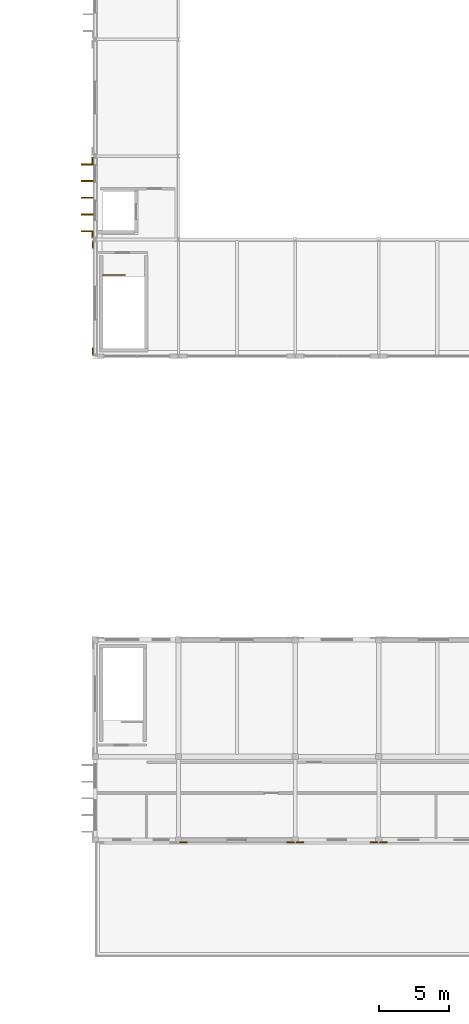
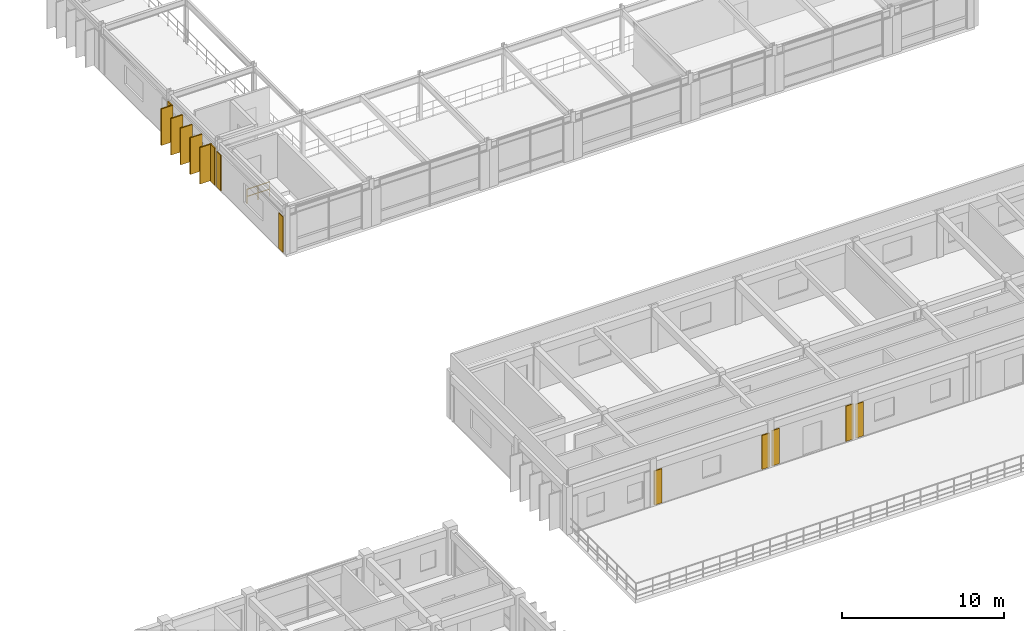
# One storey, part 73 of 88: 9 coverings, 5 shading devices, 1 railing.
"""IFC4 building model written with IfcOpenShell, lengths in metres."""

from ifc_helpers import new_model, si_unit, direction, frame, origin, origin_2d, place, context, subcontext, project, spatial, rectangle, extrude, material, layer, layer_set, type_object, element, save


model = new_model("IFC4")

# Units and contexts
model_context = context("Model", 3, precision=1e-05, world=origin(), true_north=direction((0.0, 1.0)))
body_context = subcontext(model_context, "Body", "Model", "MODEL_VIEW")
ifc_project = project(units=[si_unit("LENGTHUNIT", "METRE"), si_unit("AREAUNIT", "SQUARE_METRE"), si_unit("VOLUMEUNIT", "CUBIC_METRE"), si_unit("PLANEANGLEUNIT", "RADIAN"), si_unit("MASSUNIT", "GRAM", prefix="KILO"), si_unit("THERMODYNAMICTEMPERATUREUNIT", "KELVIN")], contexts=[model_context])

# Site, building, storey
site_placement = place(None, origin())
site = spatial("IfcSite", under=ifc_project, at=site_placement, CompositionType="ELEMENT")
building_placement = place(site_placement, origin())
building = spatial("IfcBuilding", under=site, at=building_placement, Name="Thalorik Housing Commons", CompositionType="ELEMENT")
storey_placement = place(building_placement, frame((0.0, 0.0, 4.5)))
storey = spatial("IfcBuildingStorey", under=building, at=storey_placement, Name="L01", CompositionType="ELEMENT", Elevation=4.5)

# Coverings
ifc_material_1 = material(Name="Precast concrete C40/50", Category="concrete")
ifc_layer_1 = layer(ifc_material_1, 0.074951171875, Name="Precast concrete C40/50", Category="concrete")
ifc_layer_set_1 = layer_set([ifc_layer_1], Name="Precast concrete C40/50")
covering_type_1 = type_object("IfcCoveringType", Name="ARC-CLD-PIER-75", PredefinedType="CLADDING", material=ifc_layer_set_1)
for number, where, z_axis, x_axis, name in (
    (1, (72.35009765625, 22.633056640625, 0.0498046875), (0.0, 0.0, 1.0), (1.0, 0.0, 0.0), "L01 Architectural Facade Cladding 5286"),
    (2, (80.050048828125, 22.633056640625, 0.0498046875), (0.0, 0.0, 1.0), (1.0, 0.0, 0.0), "L01 Architectural Facade Cladding 5287"),
):
    element("IfcCovering", number, at=place(storey_placement, frame(where, z_axis=z_axis, x_axis=x_axis)), inside=storey, type_object=covering_type_1, Name=name, PredefinedType="CLADDING", context=body_context, shape_type="SweptSolid", body=[
        extrude(rectangle(XDim=0.550048828125, YDim=0.074951171875, at=origin_2d()), origin(), (0.0, 0.0, 1.0), 2.574951171875),
    ])
ifc_layer_2 = layer(ifc_material_1, 0.090087890625, Name="Precast concrete C40/50", Category="concrete")
ifc_layer_set_2 = layer_set([ifc_layer_2], Name="Precast concrete C40/50")
covering_type_2 = type_object("IfcCoveringType", Name="ARC-CLD-PIER-90", PredefinedType="CLADDING", material=ifc_layer_set_2)
for number, where, z_axis, x_axis, name in (
    (3, (65.802978515625, 71.64990234375, 0.050048828125), (0.0, 0.0, 1.0), (0.0, -1.0, 0.0), "L01 Architectural Facade Cladding 5189"),
    (4, (65.802978515625, 66.35009765625, 0.050048828125), (0.0, 0.0, 1.0), (0.0, -1.0, 0.0), "L01 Architectural Facade Cladding 5190"),
):
    element("IfcCovering", number, at=place(storey_placement, frame(where, z_axis=z_axis, x_axis=x_axis)), inside=storey, type_object=covering_type_2, Name=name, PredefinedType="CLADDING", context=body_context, shape_type="SweptSolid", body=[
        extrude(rectangle(XDim=0.550048828125, YDim=0.090087890625, at=origin_2d()), origin(), (0.0, 0.0, 1.0), 2.81201171875),
    ])
ifc_material_2 = material(Name="Terracotta red mineral fibre-cement panel", Category="masonry")
ifc_layer_3 = layer(ifc_material_2, 0.054931640625, Name="Terracotta red mineral fibre-cement panel", Category="masonry")
ifc_layer_set_3 = layer_set([ifc_layer_3], Name="Terracotta red mineral fibre-cement panel")
covering_type_3 = type_object("IfcCoveringType", Name="ARC-CLD-RED-55", PredefinedType="CLADDING", material=ifc_layer_set_3)
for number, where, z_axis, x_axis, name in (
    (5, (65.820556640625, 65.64990234375, 0.050048828125), (0.0, 0.0, 1.0), (0.0, -1.0, 0.0), "L01 Architectural Facade Cladding 5191"),
    (6, (65.820556640625, 57.949951171875, 0.050048828125), (0.0, 0.0, 1.0), (0.0, -1.0, 0.0), "L01 Architectural Facade Cladding 5192"),
):
    element("IfcCovering", number, at=place(storey_placement, frame(where, z_axis=z_axis, x_axis=x_axis)), inside=storey, type_object=covering_type_3, Name=name, PredefinedType="CLADDING", context=body_context, shape_type="SweptSolid", body=[
        extrude(rectangle(XDim=0.550048828125, YDim=0.054931640625, at=origin_2d()), origin(), (0.0, 0.0, 1.0), 2.68994140625),
    ])
for number, where, z_axis, x_axis, name in (
    (7, (80.75, 22.64306640625, 0.0498046875), (0.0, 0.0, 1.0), (1.0, 0.0, 0.0), "L01 Architectural Facade Cladding 5288"),
    (8, (86.050048828125, 22.64306640625, 0.0498046875), (0.0, 0.0, 1.0), (1.0, 0.0, 0.0), "L01 Architectural Facade Cladding 5289"),
):
    element("IfcCovering", number, at=place(storey_placement, frame(where, z_axis=z_axis, x_axis=x_axis)), inside=storey, type_object=covering_type_3, Name=name, PredefinedType="CLADDING", context=body_context, shape_type="SweptSolid", body=[
        extrude(rectangle(XDim=0.550048828125, YDim=0.054931640625, at=origin_2d()), origin(), (0.0, 0.0, 1.0), 2.675048828125),
    ])
covering_placement = place(storey_placement, frame((86.75, 22.64306640625, 0.0498046875), z_axis=(0.0, 0.0, 1.0), x_axis=(1.0, 0.0, 0.0)))
element("IfcCovering", 9, at=covering_placement, inside=storey, type_object=covering_type_3, Name="L01 Architectural Facade Cladding 5290", PredefinedType="CLADDING", context=body_context, shape_type="SweptSolid", body=[
    extrude(rectangle(XDim=0.550048828125, YDim=0.054931640625, at=origin_2d()), origin(), (0.0, 0.0, 1.0), 2.574951171875),
])

# Shading devices
shading_device_type = type_object("IfcShadingDeviceType", Name="ARC-FIN-PC-850B", PredefinedType="USERDEFINED", material=ifc_material_1)
for number, where, z_axis, x_axis, name in (
    (10, (65.425048828125, 71.39990234375, 0.1201171875), (0.0, 0.0, 1.0), (0.0, -1.0, 0.0), "L01 Vertical Precast Solar Fin 75"),
    (11, (65.425048828125, 70.199951171875, 0.1201171875), (0.0, 0.0, 1.0), (0.0, -1.0, 0.0), "L01 Vertical Precast Solar Fin 76"),
    (12, (65.425048828125, 69.0, 0.1201171875), (0.0, 0.0, 1.0), (0.0, -1.0, 0.0), "L01 Vertical Precast Solar Fin 77"),
    (13, (65.425048828125, 67.800048828125, 0.1201171875), (0.0, 0.0, 1.0), (0.0, -1.0, 0.0), "L01 Vertical Precast Solar Fin 78"),
    (14, (65.425048828125, 66.60009765625, 0.1201171875), (0.0, 0.0, 1.0), (0.0, -1.0, 0.0), "L01 Vertical Precast Solar Fin 79"),
):
    element("IfcShadingDevice", number, at=place(storey_placement, frame(where, z_axis=z_axis, x_axis=x_axis)), inside=storey, type_object=shading_device_type, Name=name, ObjectType="FIN", PredefinedType="USERDEFINED", context=body_context, shape_type="SweptSolid", body=[
        extrude(rectangle(XDim=0.090087890625, YDim=0.85009765625, at=origin_2d()), origin(), (0.0, 0.0, 1.0), 2.761962890625),
    ])

# Railing
ifc_material_3 = material(Name="Steel S355", Category="steel")
railing_type = type_object("IfcRailingType", Name="ARC-RL-STR-GRD110", PredefinedType="GUARDRAIL", material=ifc_material_3)
railing_placement = place(storey_placement, frame((66.550048828125, 63.449951171875, 0.0)))
element("IfcRailing", 15, at=railing_placement, inside=storey, type_object=railing_type, Name="L01 ST-H1 top well guard 1", PredefinedType="GUARDRAIL", context=body_context, shape_type="SweptSolid", body=[
    extrude(rectangle(XDim=0.048095703125, YDim=0.048095703125, at=origin_2d()), frame((0.0, 0.0, 1.076171875), z_axis=(1.0, 0.0, 0.0), x_axis=(0.0, 1.0, 0.0)), (0.0, 0.0, 1.0), 1.599853515625),
    extrude(rectangle(XDim=0.048095703125, YDim=0.048095703125, at=origin_2d()), frame((0.0, 0.0, 0.52587890625), z_axis=(1.0, 0.0, 0.0), x_axis=(0.0, 1.0, 0.0)), (0.0, 0.0, 1.0), 1.599853515625),
    extrude(rectangle(XDim=0.0419921875, YDim=0.0419921875, at=origin_2d()), origin(), (0.0, 0.0, 1.0), 1.052001953125),
    extrude(rectangle(XDim=0.0419921875, YDim=0.0419921875, at=origin_2d()), frame((0.7998046875, 0.0, 0.0)), (0.0, 0.0, 1.0), 1.052001953125),
    extrude(rectangle(XDim=0.0419921875, YDim=0.0419921875, at=origin_2d()), frame((1.599853515625, 0.0, 0.0)), (0.0, 0.0, 1.0), 1.052001953125),
])

save(model, "model.ifc")
